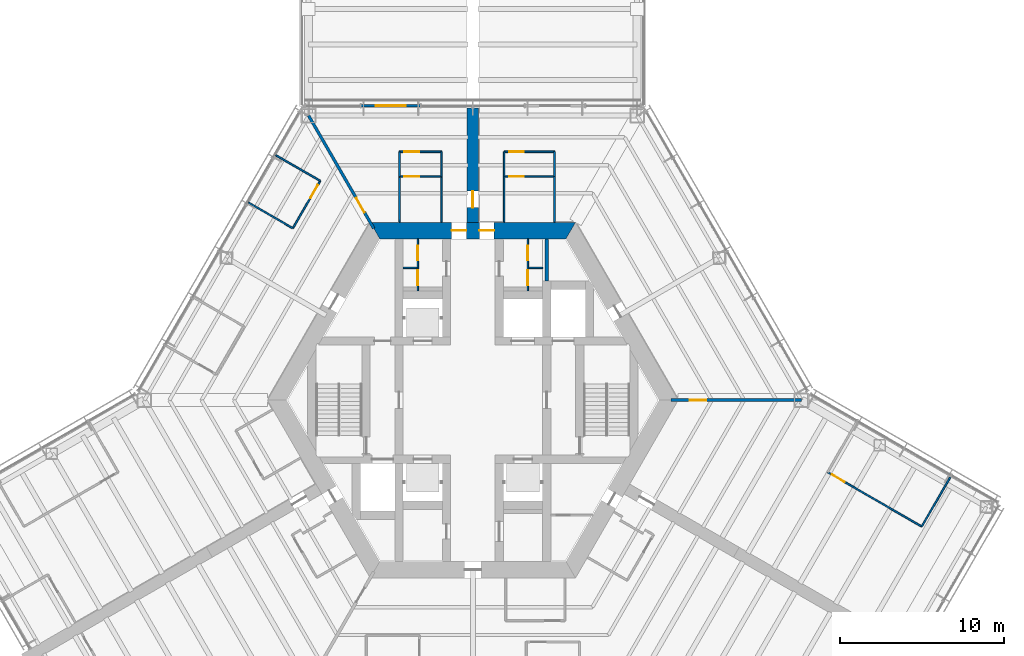
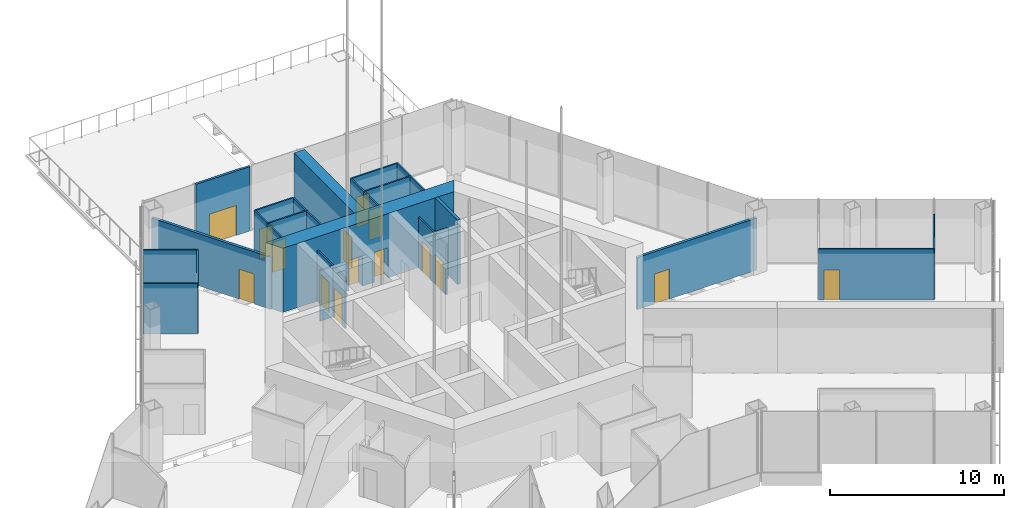
# One storey, part 12 of 18: 27 walls, 16 doors, 16 openings.
"""IFC4 building model written with IfcOpenShell, lengths in metres."""

from ifc_helpers import new_model, si_unit, direction, frame, frame_2d, origin, place, context, subcontext, project, spatial, polyline, rectangle, outline, extrude, material, layer, layer_set, type_object, element, fill, save


model = new_model("IFC4")

# Units and contexts
model_context = context("Model", 3, precision=1e-05, world=origin(), true_north=direction((0.0, 1.0)))
body_context = subcontext(model_context, "Body", "Model", "MODEL_VIEW")
ifc_project = project(units=[si_unit("LENGTHUNIT", "METRE"), si_unit("AREAUNIT", "SQUARE_METRE"), si_unit("VOLUMEUNIT", "CUBIC_METRE"), si_unit("PLANEANGLEUNIT", "RADIAN"), si_unit("MASSUNIT", "GRAM", prefix="KILO")], contexts=[model_context])

# Site, building, storey
site_placement = place(None, origin())
site = spatial("IfcSite", under=ifc_project, at=site_placement, CompositionType="ELEMENT")
building_placement = place(site_placement, origin())
building = spatial("IfcBuilding", under=site, at=building_placement, Name="Kasaneha Research Tower", CompositionType="ELEMENT")
storey_placement = place(building_placement, frame((0.0, 0.0, 128.60009765625)))
storey = spatial("IfcBuildingStorey", under=building, at=storey_placement, Name="L32", CompositionType="ELEMENT", Elevation=128.60009765625)

# Wall, openings, doors
ifc_material_1 = material(Name="Concrete Fc70", Category="concrete")
ifc_layer_1 = layer(ifc_material_1, 1.0)
ifc_layer_set_1 = layer_set([ifc_layer_1], Name="Core wall 1000 Fc70")
wall_type_1 = type_object("IfcWallType", Name="Core wall 1000 Fc70", PredefinedType="SHEAR", material=ifc_layer_set_1)
wall_1_placement = place(storey_placement, frame((5.961181640625, 10.324951171875, 0.0), z_axis=(0.0, 0.0, 1.0), x_axis=(-1.0, 0.0, 0.0)))
wall_1 = element("IfcWall", 1, at=wall_1_placement, inside=storey, type_object=wall_type_1, Name="Core wall 090 L32", PredefinedType="SHEAR", context=body_context, shape_type="SweptSolid", body=[
    extrude(outline(polyline([(-0.28857421875, -0.5), (4.6611328125, -0.5), (5.56103515625, -0.5), (6.361083984375, -0.5), (7.260986328125, -0.5), (12.2109375, -0.5), (11.6337890625, 0.5), (7.260986328125, 0.5), (6.361083984375, 0.5), (5.56103515625, 0.5), (4.6611328125, 0.5), (0.28857421875, 0.5), (-0.28857421875, -0.5)])), origin(), (0.0, 0.0, 1.0), 4.5),
])
opening_1_placement = place(wall_1_placement, frame((6.361083984375, 0.0, 0.0)))
opening_1 = element("IfcOpeningElement", 2, at=opening_1_placement, cuts=wall_1, Name="Opening L32-D01", PredefinedType="OPENING", context=body_context, shape_type="SweptSolid", body=[
    extrude(rectangle(XDim=0.89990234375, YDim=2.10009765625, at=frame_2d((0.449951171875, 1.050048828125))), frame((0.0, 0.510009765625, 0.0), z_axis=(0.0, -1.0, 0.0), x_axis=(1.0, 0.0, 0.0)), (0.0, 0.0, 1.0), 1.02001953125),
])
opening_2_placement = place(wall_1_placement, frame((4.6611328125, 0.0, 0.0)))
opening_2 = element("IfcOpeningElement", 3, at=opening_2_placement, cuts=wall_1, Name="Opening L32-D02", PredefinedType="OPENING", context=body_context, shape_type="SweptSolid", body=[
    extrude(rectangle(XDim=0.89990234375, YDim=2.10009765625, at=frame_2d((0.449951171875, 1.050048828125))), frame((0.0, 0.510009765625, 0.0), z_axis=(0.0, -1.0, 0.0), x_axis=(1.0, 0.0, 0.0)), (0.0, 0.0, 1.0), 1.02001953125),
])
ifc_material_2 = material(Name="Steel", Category="steel")
door_type_1 = type_object("IfcDoorType", Name="Toilet door FD20 900x2100", OperationType="NOTDEFINED", PredefinedType="DOOR", material=ifc_material_2)
door_1_placement = place(opening_1_placement, origin())
door_1 = element("IfcDoor", 4, at=door_1_placement, inside=storey, type_object=door_type_1, Name="Core door north 1 L32-D01", OperationType="SINGLE_SWING_RIGHT", OverallHeight=2.10009765625, OverallWidth=0.89990234375, PredefinedType="DOOR", context=body_context, shape_type="SweptSolid", body=[
    extrude(rectangle(XDim=0.89990234375, YDim=2.10009765625, at=frame_2d((0.449951171875, 1.050048828125))), frame((0.0, 0.02490234375, 0.0), z_axis=(0.0, -1.0, 0.0), x_axis=(1.0, 0.0, 0.0)), (0.0, 0.0, 1.0), 0.050048828125),
])
fill(opening_1, door_1)
door_2_placement = place(opening_2_placement, origin())
door_2 = element("IfcDoor", 5, at=door_2_placement, inside=storey, type_object=door_type_1, Name="Core door north 2 L32-D02", OperationType="SINGLE_SWING_LEFT", OverallHeight=2.10009765625, OverallWidth=0.89990234375, PredefinedType="DOOR", context=body_context, shape_type="SweptSolid", body=[
    extrude(rectangle(XDim=0.89990234375, YDim=2.10009765625, at=frame_2d((0.449951171875, 1.050048828125))), frame((0.0, 0.02490234375, 0.0), z_axis=(0.0, -1.0, 0.0), x_axis=(1.0, 0.0, 0.0)), (0.0, 0.0, 1.0), 0.050048828125),
])
fill(opening_2, door_2)

# Wall, opening, door
ifc_material_3 = material(Name="Glass and aluminium", Category="aluminium")
ifc_layer_2 = layer(ifc_material_3, 0.14990234375)
ifc_layer_set_2 = layer_set([ifc_layer_2], Name="Glazed entrance screen 150")
wall_type_2 = type_object("IfcWallType", Name="Glazed entrance screen 150", PredefinedType="STANDARD", material=ifc_layer_set_2)
wall_2_placement = place(storey_placement, frame((-3.199951171875, 17.92041015625, 0.0), z_axis=(0.0, 0.0, 1.0), x_axis=(-1.0, 0.0, 0.0)))
wall_2 = element("IfcWall", 6, at=wall_2_placement, inside=storey, type_object=wall_type_2, Name="Glazed entrance screen L32", PredefinedType="STANDARD", context=body_context, shape_type="SweptSolid", body=[
    extrude(rectangle(XDim=3.60009765625, YDim=0.14990234375, at=frame_2d((1.800048828125, 0.0))), origin(), (0.0, 0.0, 1.0), 4.5),
])
opening_3_placement = place(wall_2_placement, frame((0.89990234375, 0.0, 0.0)))
opening_3 = element("IfcOpeningElement", 7, at=opening_3_placement, cuts=wall_2, Name="Opening L32-ED09", PredefinedType="OPENING", context=body_context, shape_type="SweptSolid", body=[
    extrude(rectangle(XDim=1.800048828125, YDim=2.10009765625, at=frame_2d((0.89990234375, 1.050048828125))), frame((0.0, 0.0849609375, 0.0), z_axis=(0.0, -1.0, 0.0), x_axis=(1.0, 0.0, 0.0)), (0.0, 0.0, 1.0), 0.169921875),
])
ifc_material_4 = material(Name="Glass and aluminium", Category="aluminium")
door_type_2 = type_object("IfcDoorType", Name="Terrace door 1800x2100", OperationType="DOUBLE_DOOR_SINGLE_SWING", PredefinedType="DOOR", material=ifc_material_4)
door_3_placement = place(opening_3_placement, origin())
door_3 = element("IfcDoor", 8, at=door_3_placement, inside=storey, type_object=door_type_2, Name="Terrace door L32-ED09", OperationType="DOUBLE_DOOR_SINGLE_SWING", OverallHeight=2.10009765625, OverallWidth=1.800048828125, PredefinedType="DOOR", context=body_context, shape_type="SweptSolid", body=[
    extrude(rectangle(XDim=1.800048828125, YDim=2.10009765625, at=frame_2d((0.89990234375, 1.050048828125))), frame((0.0, 0.02490234375, 0.0), z_axis=(0.0, -1.0, 0.0), x_axis=(1.0, 0.0, 0.0)), (0.0, 0.0, 1.0), 0.050048828125),
])
fill(opening_3, door_3)

# Wall, openings, doors
ifc_material_5 = material(Name="Gypsum board on steel studs, one layer each side", Category="steel")
ifc_layer_3 = layer(ifc_material_5, 0.10009765625)
ifc_layer_set_3 = layer_set([ifc_layer_3], Name="Office partition 100")
wall_type_3 = type_object("IfcWallType", Name="Office partition 100", PredefinedType="PARTITIONING", material=ifc_layer_set_3)
wall_3_placement = place(storey_placement, frame((-3.35009765625, 6.64990234375, 0.0), z_axis=(0.0, 0.0, 1.0), x_axis=(0.0, 1.0, 0.0)))
wall_3 = element("IfcWall", 9, at=wall_3_placement, inside=storey, type_object=wall_type_3, Name="Office partition TBM1 L32", PredefinedType="PARTITIONING", context=body_context, shape_type="SweptSolid", body=[
    extrude(rectangle(XDim=3.175048828125, YDim=0.10009765625, at=frame_2d((1.58740234375, 0.0))), origin(), (0.0, 0.0, 1.0), 3.5498046875),
])
opening_4_placement = place(wall_3_placement, frame((1.862548828125, 0.0, 0.0)))
opening_4 = element("IfcOpeningElement", 10, at=opening_4_placement, cuts=wall_3, Name="Opening L32-D20", PredefinedType="OPENING", context=body_context, shape_type="SweptSolid", body=[
    extrude(rectangle(XDim=0.89990234375, YDim=2.10009765625, at=frame_2d((0.449951171875, 1.050048828125))), frame((0.0, 0.06005859375, 0.0), z_axis=(0.0, -1.0, 0.0), x_axis=(1.0, 0.0, 0.0)), (0.0, 0.0, 1.0), 0.1201171875),
])
opening_5_placement = place(wall_3_placement, frame((0.35009765625, 0.0, 0.0)))
opening_5 = element("IfcOpeningElement", 11, at=opening_5_placement, cuts=wall_3, Name="Opening L32-D21", PredefinedType="OPENING", context=body_context, shape_type="SweptSolid", body=[
    extrude(rectangle(XDim=0.89990234375, YDim=2.10009765625, at=frame_2d((0.449951171875, 1.050048828125))), frame((0.0, 0.06005859375, 0.0), z_axis=(0.0, -1.0, 0.0), x_axis=(1.0, 0.0, 0.0)), (0.0, 0.0, 1.0), 0.1201171875),
])
ifc_material_6 = material(Name="Steel", Category="steel")
door_type_3 = type_object("IfcDoorType", Name="Toilet lobby door FD30 900x2100", OperationType="NOTDEFINED", PredefinedType="DOOR", material=ifc_material_6)
door_4_placement = place(opening_4_placement, origin())
door_4 = element("IfcDoor", 12, at=door_4_placement, inside=storey, type_object=door_type_3, Name="Men's WC door L32-D20", OperationType="SINGLE_SWING_RIGHT", OverallHeight=2.10009765625, OverallWidth=0.89990234375, PredefinedType="DOOR", context=body_context, shape_type="SweptSolid", body=[
    extrude(rectangle(XDim=0.89990234375, YDim=2.10009765625, at=frame_2d((0.449951171875, 1.050048828125))), frame((0.0, 0.02490234375, 0.0), z_axis=(0.0, -1.0, 0.0), x_axis=(1.0, 0.0, 0.0)), (0.0, 0.0, 1.0), 0.050048828125),
])
fill(opening_4, door_4)
door_5_placement = place(opening_5_placement, origin())
door_5 = element("IfcDoor", 13, at=door_5_placement, inside=storey, type_object=door_type_3, Name="Cleaner's store door L32-D21", OperationType="SINGLE_SWING_RIGHT", OverallHeight=2.10009765625, OverallWidth=0.89990234375, PredefinedType="DOOR", context=body_context, shape_type="SweptSolid", body=[
    extrude(rectangle(XDim=0.89990234375, YDim=2.10009765625, at=frame_2d((0.449951171875, 1.050048828125))), frame((0.0, 0.02490234375, 0.0), z_axis=(0.0, -1.0, 0.0), x_axis=(1.0, 0.0, 0.0)), (0.0, 0.0, 1.0), 0.050048828125),
])
fill(opening_5, door_5)

# Wall
wall_4_placement = place(storey_placement, frame((-3.39990234375, 8.050048828125, 0.0), z_axis=(0.0, 0.0, 1.0), x_axis=(-1.0, 0.0, 0.0)))
element("IfcWall", 14, at=wall_4_placement, inside=storey, type_object=wall_type_3, Name="Office partition TBM2 L32", PredefinedType="PARTITIONING", context=body_context, shape_type="SweptSolid", body=[
    extrude(rectangle(XDim=0.85009765625, YDim=0.10009765625, at=frame_2d((0.425048828125, 0.0))), origin(), (0.0, 0.0, 1.0), 3.5498046875),
])

# Wall, openings, doors
wall_5_placement = place(storey_placement, frame((3.35009765625, 6.64990234375, 0.0), z_axis=(0.0, 0.0, 1.0), x_axis=(0.0, 1.0, 0.0)))
wall_5 = element("IfcWall", 15, at=wall_5_placement, inside=storey, type_object=wall_type_3, Name="Office partition TBF1 L32", PredefinedType="PARTITIONING", context=body_context, shape_type="SweptSolid", body=[
    extrude(rectangle(XDim=3.175048828125, YDim=0.10009765625, at=frame_2d((1.58740234375, 0.0))), origin(), (0.0, 0.0, 1.0), 3.5498046875),
])
opening_6_placement = place(wall_5_placement, frame((1.862548828125, 0.0, 0.0)))
opening_6 = element("IfcOpeningElement", 16, at=opening_6_placement, cuts=wall_5, Name="Opening L32-D22", PredefinedType="OPENING", context=body_context, shape_type="SweptSolid", body=[
    extrude(rectangle(XDim=0.89990234375, YDim=2.10009765625, at=frame_2d((0.449951171875, 1.050048828125))), frame((0.0, 0.06005859375, 0.0), z_axis=(0.0, -1.0, 0.0), x_axis=(1.0, 0.0, 0.0)), (0.0, 0.0, 1.0), 0.1201171875),
])
opening_7_placement = place(wall_5_placement, frame((0.35009765625, 0.0, 0.0)))
opening_7 = element("IfcOpeningElement", 17, at=opening_7_placement, cuts=wall_5, Name="Opening L32-D23", PredefinedType="OPENING", context=body_context, shape_type="SweptSolid", body=[
    extrude(rectangle(XDim=0.89990234375, YDim=2.10009765625, at=frame_2d((0.449951171875, 1.050048828125))), frame((0.0, 0.06005859375, 0.0), z_axis=(0.0, -1.0, 0.0), x_axis=(1.0, 0.0, 0.0)), (0.0, 0.0, 1.0), 0.1201171875),
])
door_6_placement = place(opening_6_placement, origin())
door_6 = element("IfcDoor", 18, at=door_6_placement, inside=storey, type_object=door_type_3, Name="Women's WC door L32-D22", OperationType="SINGLE_SWING_RIGHT", OverallHeight=2.10009765625, OverallWidth=0.89990234375, PredefinedType="DOOR", context=body_context, shape_type="SweptSolid", body=[
    extrude(rectangle(XDim=0.89990234375, YDim=2.10009765625, at=frame_2d((0.449951171875, 1.050048828125))), frame((0.0, 0.02490234375, 0.0), z_axis=(0.0, -1.0, 0.0), x_axis=(1.0, 0.0, 0.0)), (0.0, 0.0, 1.0), 0.050048828125),
])
fill(opening_6, door_6)
door_7_placement = place(opening_7_placement, origin())
door_7 = element("IfcDoor", 19, at=door_7_placement, inside=storey, type_object=door_type_3, Name="Staff WC door L32-D23", OperationType="SINGLE_SWING_RIGHT", OverallHeight=2.10009765625, OverallWidth=0.89990234375, PredefinedType="DOOR", context=body_context, shape_type="SweptSolid", body=[
    extrude(rectangle(XDim=0.89990234375, YDim=2.10009765625, at=frame_2d((0.449951171875, 1.050048828125))), frame((0.0, 0.02490234375, 0.0), z_axis=(0.0, -1.0, 0.0), x_axis=(1.0, 0.0, 0.0)), (0.0, 0.0, 1.0), 0.050048828125),
])
fill(opening_7, door_7)

# Wall
wall_6_placement = place(storey_placement, frame((3.39990234375, 8.050048828125, 0.0), z_axis=(0.0, 0.0, 1.0), x_axis=(1.0, 0.0, 0.0)))
element("IfcWall", 20, at=wall_6_placement, inside=storey, type_object=wall_type_3, Name="Office partition TBF2 L32", PredefinedType="PARTITIONING", context=body_context, shape_type="SweptSolid", body=[
    extrude(rectangle(XDim=0.85009765625, YDim=0.10009765625, at=frame_2d((0.425048828125, 0.0))), origin(), (0.0, 0.0, 1.0), 3.5498046875),
])

# Wall, opening, door
wall_7_placement = place(storey_placement, frame((1.89990234375, 13.6201171875, 0.0), z_axis=(0.0, 0.0, 1.0), x_axis=(1.0, 0.0, 0.0)))
wall_7 = element("IfcWall", 21, at=wall_7_placement, inside=storey, type_object=wall_type_3, Name="Office partition FAE01 L32", PredefinedType="PARTITIONING", context=body_context, shape_type="SweptSolid", body=[
    extrude(rectangle(XDim=3.071044921875, YDim=0.10009765625, at=frame_2d((1.53564453125, 0.0))), origin(), (0.0, 0.0, 1.0), 3.5498046875),
])
opening_8_placement = place(wall_7_placement, frame((0.300048828125, 0.0, 0.0)))
opening_8 = element("IfcOpeningElement", 22, at=opening_8_placement, cuts=wall_7, Name="Opening L32-D28", PredefinedType="OPENING", context=body_context, shape_type="SweptSolid", body=[
    extrude(rectangle(XDim=0.89990234375, YDim=2.10009765625, at=frame_2d((0.449951171875, 1.050048828125))), frame((0.0, 0.06005859375, 0.0), z_axis=(0.0, -1.0, 0.0), x_axis=(1.0, 0.0, 0.0)), (0.0, 0.0, 1.0), 0.1201171875),
])
door_8_placement = place(opening_8_placement, origin())
door_8 = element("IfcDoor", 23, at=door_8_placement, inside=storey, type_object=door_type_3, Name="Women's WC door L32-D28", OperationType="SINGLE_SWING_LEFT", OverallHeight=2.10009765625, OverallWidth=0.89990234375, PredefinedType="DOOR", context=body_context, shape_type="SweptSolid", body=[
    extrude(rectangle(XDim=0.89990234375, YDim=2.10009765625, at=frame_2d((0.449951171875, 1.050048828125))), frame((0.0, 0.02490234375, 0.0), z_axis=(0.0, -1.0, 0.0), x_axis=(1.0, 0.0, 0.0)), (0.0, 0.0, 1.0), 0.050048828125),
])
fill(opening_8, door_8)

# Walls
for number, where, z_axis, x_axis, name in (
    (24, (1.89990234375, 10.844970703125, 0.0), (0.0, 0.0, 1.0), (0.001668567099, 0.999998607941, 0.0), "Office partition FAE02 L32"),
    (25, (4.96630859375, 13.625, 0.0), (0.0, 0.0, 1.0), (0.001668567099, -0.999998607941, 0.0), "Office partition FAE03 L32"),
):
    element("IfcWall", number, at=place(storey_placement, frame(where, z_axis=z_axis, x_axis=x_axis)), inside=storey, type_object=wall_type_3, Name=name, PredefinedType="PARTITIONING", context=body_context, shape_type="SweptSolid", body=[
        extrude(rectangle(XDim=2.780029296875, YDim=0.10009765625, at=frame_2d((1.39013671875, 0.0))), origin(), (0.0, 0.0, 1.0), 3.5498046875),
    ])

# Wall, opening, door
wall_8_placement = place(storey_placement, frame((1.89990234375, 15.125, 0.0), z_axis=(0.0, 0.0, 1.0), x_axis=(1.0, 0.0, 0.0)))
wall_8 = element("IfcWall", 26, at=wall_8_placement, inside=storey, type_object=wall_type_3, Name="Office partition FAE04 L32", PredefinedType="PARTITIONING", context=body_context, shape_type="SweptSolid", body=[
    extrude(rectangle(XDim=3.071044921875, YDim=0.10009765625, at=frame_2d((1.53564453125, 0.0))), origin(), (0.0, 0.0, 1.0), 3.5498046875),
])
opening_9_placement = place(wall_8_placement, frame((0.300048828125, 0.0, 0.0)))
opening_9 = element("IfcOpeningElement", 27, at=opening_9_placement, cuts=wall_8, Name="Opening L32-D29", PredefinedType="OPENING", context=body_context, shape_type="SweptSolid", body=[
    extrude(rectangle(XDim=0.89990234375, YDim=2.10009765625, at=frame_2d((0.449951171875, 1.050048828125))), frame((0.0, 0.06005859375, 0.0), z_axis=(0.0, -1.0, 0.0), x_axis=(1.0, 0.0, 0.0)), (0.0, 0.0, 1.0), 0.1201171875),
])
door_9_placement = place(opening_9_placement, origin())
door_9 = element("IfcDoor", 28, at=door_9_placement, inside=storey, type_object=door_type_3, Name="Toilet lobby door L32-D29", OperationType="SINGLE_SWING_LEFT", OverallHeight=2.10009765625, OverallWidth=0.89990234375, PredefinedType="DOOR", context=body_context, shape_type="SweptSolid", body=[
    extrude(rectangle(XDim=0.89990234375, YDim=2.10009765625, at=frame_2d((0.449951171875, 1.050048828125))), frame((0.0, 0.02490234375, 0.0), z_axis=(0.0, -1.0, 0.0), x_axis=(1.0, 0.0, 0.0)), (0.0, 0.0, 1.0), 0.050048828125),
])
fill(opening_9, door_9)

# Walls
for number, where, z_axis, x_axis, name in (
    (29, (1.904541015625, 13.625, 0.0), (0.0, 0.0, 1.0), (-0.00309243313, 0.999995218417, 0.0), "Office partition FAE05 L32"),
    (30, (4.970947265625, 15.125, 0.0), (0.0, 0.0, 1.0), (-0.00309243313, -0.999995218417, 0.0), "Office partition FAE06 L32"),
):
    element("IfcWall", number, at=place(storey_placement, frame(where, z_axis=z_axis, x_axis=x_axis)), inside=storey, type_object=wall_type_3, Name=name, PredefinedType="PARTITIONING", context=body_context, shape_type="SweptSolid", body=[
        extrude(rectangle(XDim=1.5, YDim=0.10009765625, at=frame_2d((0.75, 0.0))), origin(), (0.0, 0.0, 1.0), 3.5498046875),
    ])

# Wall, opening, door
wall_9_placement = place(storey_placement, frame((-4.470947265625, 13.6201171875, 0.0), z_axis=(0.0, 0.0, 1.0), x_axis=(1.0, 0.0, 0.0)))
wall_9 = element("IfcWall", 31, at=wall_9_placement, inside=storey, type_object=wall_type_3, Name="Office partition FAW01 L32", PredefinedType="PARTITIONING", context=body_context, shape_type="SweptSolid", body=[
    extrude(rectangle(XDim=2.571044921875, YDim=0.10009765625, at=frame_2d((1.28564453125, 0.0))), origin(), (0.0, 0.0, 1.0), 3.5498046875),
])
opening_10_placement = place(wall_9_placement, frame((0.300048828125, 0.0, 0.0)))
opening_10 = element("IfcOpeningElement", 32, at=opening_10_placement, cuts=wall_9, Name="Opening L32-D30", PredefinedType="OPENING", context=body_context, shape_type="SweptSolid", body=[
    extrude(rectangle(XDim=0.89990234375, YDim=2.10009765625, at=frame_2d((0.449951171875, 1.050048828125))), frame((0.0, 0.06005859375, 0.0), z_axis=(0.0, -1.0, 0.0), x_axis=(1.0, 0.0, 0.0)), (0.0, 0.0, 1.0), 0.1201171875),
])
door_10_placement = place(opening_10_placement, origin())
door_10 = element("IfcDoor", 33, at=door_10_placement, inside=storey, type_object=door_type_3, Name="Men's WC door L32-D30", OperationType="SINGLE_SWING_LEFT", OverallHeight=2.10009765625, OverallWidth=0.89990234375, PredefinedType="DOOR", context=body_context, shape_type="SweptSolid", body=[
    extrude(rectangle(XDim=0.89990234375, YDim=2.10009765625, at=frame_2d((0.449951171875, 1.050048828125))), frame((0.0, 0.02490234375, 0.0), z_axis=(0.0, -1.0, 0.0), x_axis=(1.0, 0.0, 0.0)), (0.0, 0.0, 1.0), 0.050048828125),
])
fill(opening_10, door_10)

# Walls
for number, where, z_axis, x_axis, name in (
    (34, (-4.470947265625, 10.844970703125, 0.0), (0.0, 0.0, 1.0), (0.001668567099, 0.999998607941, 0.0), "Office partition FAW02 L32"),
    (35, (-1.90478515625, 13.625, 0.0), (0.0, 0.0, 1.0), (0.001756386155, -0.999998457553, 0.0), "Office partition FAW03 L32"),
):
    element("IfcWall", number, at=place(storey_placement, frame(where, z_axis=z_axis, x_axis=x_axis)), inside=storey, type_object=wall_type_3, Name=name, PredefinedType="PARTITIONING", context=body_context, shape_type="SweptSolid", body=[
        extrude(rectangle(XDim=2.780029296875, YDim=0.10009765625, at=frame_2d((1.39013671875, 0.0))), origin(), (0.0, 0.0, 1.0), 3.5498046875),
    ])

# Wall, opening, door
wall_10_placement = place(storey_placement, frame((-4.470947265625, 15.125, 0.0), z_axis=(0.0, 0.0, 1.0), x_axis=(1.0, 0.0, 0.0)))
wall_10 = element("IfcWall", 36, at=wall_10_placement, inside=storey, type_object=wall_type_3, Name="Office partition FAW04 L32", PredefinedType="PARTITIONING", context=body_context, shape_type="SweptSolid", body=[
    extrude(rectangle(XDim=2.571044921875, YDim=0.10009765625, at=frame_2d((1.28564453125, 0.0))), origin(), (0.0, 0.0, 1.0), 3.5498046875),
])
opening_11_placement = place(wall_10_placement, frame((0.300048828125, 0.0, 0.0)))
opening_11 = element("IfcOpeningElement", 37, at=opening_11_placement, cuts=wall_10, Name="Opening L32-D31", PredefinedType="OPENING", context=body_context, shape_type="SweptSolid", body=[
    extrude(rectangle(XDim=0.89990234375, YDim=2.10009765625, at=frame_2d((0.449951171875, 1.050048828125))), frame((0.0, 0.06005859375, 0.0), z_axis=(0.0, -1.0, 0.0), x_axis=(1.0, 0.0, 0.0)), (0.0, 0.0, 1.0), 0.1201171875),
])
door_11_placement = place(opening_11_placement, origin())
door_11 = element("IfcDoor", 38, at=door_11_placement, inside=storey, type_object=door_type_3, Name="Toilet lobby door L32-D31", OperationType="SINGLE_SWING_LEFT", OverallHeight=2.10009765625, OverallWidth=0.89990234375, PredefinedType="DOOR", context=body_context, shape_type="SweptSolid", body=[
    extrude(rectangle(XDim=0.89990234375, YDim=2.10009765625, at=frame_2d((0.449951171875, 1.050048828125))), frame((0.0, 0.02490234375, 0.0), z_axis=(0.0, -1.0, 0.0), x_axis=(1.0, 0.0, 0.0)), (0.0, 0.0, 1.0), 0.050048828125),
])
fill(opening_11, door_11)

# Walls
for number, where, z_axis, x_axis, name in (
    (39, (-4.46630859375, 13.625, 0.0), (0.0, 0.0, 1.0), (-0.00309243313, 0.999995218417, 0.0), "Office partition FAW05 L32"),
    (40, (-1.89990234375, 15.125, 0.0), (0.0, 0.0, 1.0), (-0.003255191087, -0.999994701851, 0.0), "Office partition FAW06 L32"),
):
    element("IfcWall", number, at=place(storey_placement, frame(where, z_axis=z_axis, x_axis=x_axis)), inside=storey, type_object=wall_type_3, Name=name, PredefinedType="PARTITIONING", context=body_context, shape_type="SweptSolid", body=[
        extrude(rectangle(XDim=1.5, YDim=0.10009765625, at=frame_2d((0.75, 0.0))), origin(), (0.0, 0.0, 1.0), 3.5498046875),
    ])
wall_11_placement = place(storey_placement, frame((-11.99169921875, 14.90869140625, 0.0), z_axis=(0.0, 0.0, 1.0), x_axis=(0.866018739521, -0.500011542666, 0.0)))
element("IfcWall", 41, at=wall_11_placement, inside=storey, type_object=wall_type_3, Name="Office partition FBN10 L32", PredefinedType="PARTITIONING", context=body_context, shape_type="SweptSolid", body=[
    extrude(rectangle(XDim=3.119140625, YDim=0.10009765625, at=frame_2d((1.5595703125, 0.0))), origin(), (0.0, 0.0, 1.0), 3.5498046875),
])
wall_12_placement = place(storey_placement, frame((-10.9560546875, 10.464599609375, 0.0), z_axis=(0.0, 0.0, 1.0), x_axis=(-0.866052632827, 0.499952834948, 0.0)))
element("IfcWall", 42, at=wall_12_placement, inside=storey, type_object=wall_type_3, Name="Office partition FBN11 L32", PredefinedType="PARTITIONING", context=body_context, shape_type="SweptSolid", body=[
    extrude(rectangle(XDim=3.118896484375, YDim=0.10009765625, at=frame_2d((1.5595703125, 0.0))), origin(), (0.0, 0.0, 1.0), 3.5498046875),
])

# Wall, opening, door
wall_13_placement = place(storey_placement, frame((-9.29052734375, 13.34912109375, 0.0), z_axis=(0.0, 0.0, 1.0), x_axis=(-0.500033344505, -0.86600615147, 0.0)))
wall_13 = element("IfcWall", 43, at=wall_13_placement, inside=storey, type_object=wall_type_3, Name="Office partition FBN12 L32", PredefinedType="PARTITIONING", context=body_context, shape_type="SweptSolid", body=[
    extrude(rectangle(XDim=3.330810546875, YDim=0.10009765625, at=frame_2d((1.66552734375, 0.0))), origin(), (0.0, 0.0, 1.0), 3.5498046875),
])
opening_12_placement = place(wall_13_placement, frame((0.300048828125, 0.0, 0.0)))
opening_12 = element("IfcOpeningElement", 44, at=opening_12_placement, cuts=wall_13, Name="Opening L32-D35", PredefinedType="OPENING", context=body_context, shape_type="SweptSolid", body=[
    extrude(rectangle(XDim=0.89990234375, YDim=2.10009765625, at=frame_2d((0.449951171875, 1.050048828125))), frame((0.0, 0.06005859375, 0.0), z_axis=(0.0, -1.0, 0.0), x_axis=(1.0, 0.0, 0.0)), (0.0, 0.0, 1.0), 0.1201171875),
])
ifc_material_7 = material(Name="Timber veneer", Category="wood")
door_type_4 = type_object("IfcDoorType", Name="Office door 900x2100", OperationType="SINGLE_SWING_LEFT", PredefinedType="DOOR", material=ifc_material_7)
door_12_placement = place(opening_12_placement, origin())
door_12 = element("IfcDoor", 45, at=door_12_placement, inside=storey, type_object=door_type_4, Name="Workroom door L32-D35", OperationType="SINGLE_SWING_LEFT", OverallHeight=2.10009765625, OverallWidth=0.89990234375, PredefinedType="DOOR", context=body_context, shape_type="SweptSolid", body=[
    extrude(rectangle(XDim=0.89990234375, YDim=2.10009765625, at=frame_2d((0.449951171875, 1.050048828125))), frame((0.0, 0.02490234375, 0.0), z_axis=(0.0, -1.0, 0.0), x_axis=(1.0, 0.0, 0.0)), (0.0, 0.0, 1.0), 0.050048828125),
])
fill(opening_12, door_12)

wall_14_placement = place(storey_placement, frame((27.324951171875, -7.693115234375, 0.0), z_axis=(0.0, 0.0, 1.0), x_axis=(-0.866021597574, 0.500006592492, 0.0)))
wall_14 = element("IfcWall", 46, at=wall_14_placement, inside=storey, type_object=wall_type_3, Name="Office partition FCE02 L32", PredefinedType="PARTITIONING", context=body_context, shape_type="SweptSolid", body=[
    extrude(rectangle(XDim=6.61962890625, YDim=0.10009765625, at=frame_2d((3.309814453125, 0.0))), origin(), (0.0, 0.0, 1.0), 3.5498046875),
])
opening_13_placement = place(wall_14_placement, frame((5.419677734375, 0.0, 0.0)))
opening_13 = element("IfcOpeningElement", 47, at=opening_13_placement, cuts=wall_14, Name="Opening L32-D40", PredefinedType="OPENING", context=body_context, shape_type="SweptSolid", body=[
    extrude(rectangle(XDim=0.89990234375, YDim=2.10009765625, at=frame_2d((0.449951171875, 1.050048828125))), frame((0.0, 0.06005859375, 0.0), z_axis=(0.0, -1.0, 0.0), x_axis=(1.0, 0.0, 0.0)), (0.0, 0.0, 1.0), 0.1201171875),
])
door_13_placement = place(opening_13_placement, origin())
door_13 = element("IfcDoor", 48, at=door_13_placement, inside=storey, type_object=door_type_4, Name="Meeting room door L32-D40", OperationType="SINGLE_SWING_RIGHT", OverallHeight=2.10009765625, OverallWidth=0.89990234375, PredefinedType="DOOR", context=body_context, shape_type="SweptSolid", body=[
    extrude(rectangle(XDim=0.89990234375, YDim=2.10009765625, at=frame_2d((0.449951171875, 1.050048828125))), frame((0.0, 0.02490234375, 0.0), z_axis=(0.0, -1.0, 0.0), x_axis=(1.0, 0.0, 0.0)), (0.0, 0.0, 1.0), 0.050048828125),
])
fill(opening_13, door_13)

# Walls
wall_15_placement = place(storey_placement, frame((29.06005859375, -4.68798828125, 0.0), z_axis=(0.0, 0.0, 1.0), x_axis=(-0.500020871164, -0.866013353477, 0.0)))
element("IfcWall", 49, at=wall_15_placement, inside=storey, type_object=wall_type_3, Name="Office partition FCE03 L32", PredefinedType="PARTITIONING", context=body_context, shape_type="SweptSolid", body=[
    extrude(rectangle(XDim=3.469970703125, YDim=0.10009765625, at=frame_2d((1.73486328125, 0.0))), origin(), (0.0, 0.0, 1.0), 3.5498046875),
])
ifc_material_8 = material(Name="Concrete block", Category="concrete")
ifc_layer_4 = layer(ifc_material_8, 0.199951171875)
ifc_layer_set_4 = layer_set([ifc_layer_4], Name="Riser enclosure wall 200")
wall_type_4 = type_object("IfcWallType", Name="Riser enclosure wall 200", PredefinedType="STANDARD", material=ifc_layer_set_4)
wall_16_placement = place(storey_placement, frame((4.5, 7.25, 0.0), z_axis=(0.0, 0.0, 1.0), x_axis=(0.0, 1.0, 0.0)))
element("IfcWall", 50, at=wall_16_placement, inside=storey, type_object=wall_type_4, Name="Riser enclosure wall L32", PredefinedType="STANDARD", context=body_context, shape_type="SweptSolid", body=[
    extrude(rectangle(XDim=2.574951171875, YDim=0.199951171875, at=frame_2d((1.28759765625, 0.0))), origin(), (0.0, 0.0, 1.0), 4.5),
])

# Wall, opening, door
ifc_material_9 = material(Name="Concrete Fc70", Category="concrete")
ifc_layer_5 = layer(ifc_material_9, 0.699951171875)
ifc_layer_set_5 = layer_set([ifc_layer_5], Name="Spine wall 700 Fc70")
wall_type_5 = type_object("IfcWallType", Name="Spine wall 700 Fc70", PredefinedType="SHEAR", material=ifc_layer_set_5)
wall_17_placement = place(storey_placement, frame((0.0, 10.824951171875, 0.0), z_axis=(0.0, 0.0, 1.0), x_axis=(0.0, 1.0, 0.0)))
wall_17 = element("IfcWall", 51, at=wall_17_placement, inside=storey, type_object=wall_type_5, Name="Spine wall A L32", PredefinedType="SHEAR", context=body_context, shape_type="SweptSolid", body=[
    extrude(rectangle(XDim=6.945556640625, YDim=0.699951171875, at=frame_2d((3.47265625, 0.0))), origin(), (0.0, 0.0, 1.0), 4.5),
])
opening_14_placement = place(wall_17_placement, frame((0.89990234375, 0.0, 0.0)))
opening_14 = element("IfcOpeningElement", 52, at=opening_14_placement, cuts=wall_17, Name="Opening L32-D17", PredefinedType="OPENING", context=body_context, shape_type="SweptSolid", body=[
    extrude(rectangle(XDim=1.0, YDim=2.10009765625, at=frame_2d((0.5, 1.050048828125))), frame((0.0, 0.35986328125, 0.0), z_axis=(0.0, -1.0, 0.0), x_axis=(1.0, 0.0, 0.0)), (0.0, 0.0, 1.0), 0.719970703125),
])
ifc_material_10 = material(Name="Steel", Category="steel")
door_type_5 = type_object("IfcDoorType", Name="Specified fire door FD60 1000x2100", OperationType="NOTDEFINED", PredefinedType="DOOR", material=ifc_material_10)
door_14_placement = place(opening_14_placement, origin())
door_14 = element("IfcDoor", 53, at=door_14_placement, inside=storey, type_object=door_type_5, Name="Spine doorway A L32-D17", OperationType="SINGLE_SWING_LEFT", OverallHeight=2.10009765625, OverallWidth=1.0, PredefinedType="DOOR", context=body_context, shape_type="SweptSolid", body=[
    extrude(rectangle(XDim=1.0, YDim=2.10009765625, at=frame_2d((0.5, 1.050048828125))), frame((0.0, 0.02490234375, 0.0), z_axis=(0.0, -1.0, 0.0), x_axis=(1.0, 0.0, 0.0)), (0.0, 0.0, 1.0), 0.050048828125),
])
fill(opening_14, door_14)

ifc_material_11 = material(Name="Gypsum board on steel studs, two layers each side", Category="steel")
ifc_layer_6 = layer(ifc_material_11, 0.175048828125)
ifc_layer_set_6 = layer_set([ifc_layer_6], Name="Tenancy fire partition 175")
wall_type_6 = type_object("IfcWallType", Name="Tenancy fire partition 175", PredefinedType="PARTITIONING", material=ifc_layer_set_6)
wall_18_placement = place(storey_placement, frame((12.069580078125, 0.0, 0.0), z_axis=(0.0, 0.0, 1.0), x_axis=(1.0, 0.0, 0.0)))
wall_18 = element("IfcWall", 54, at=wall_18_placement, inside=storey, type_object=wall_type_6, Name="Tenancy fire partition T000 L32", PredefinedType="PARTITIONING", context=body_context, shape_type="SweptSolid", body=[
    extrude(rectangle(XDim=7.930419921875, YDim=0.175048828125, at=frame_2d((3.96533203125, 0.0))), origin(), (0.0, 0.0, 1.0), 3.64990234375),
])
opening_15_placement = place(wall_18_placement, frame((1.1298828125, 0.0, 0.0)))
opening_15 = element("IfcOpeningElement", 55, at=opening_15_placement, cuts=wall_18, Name="Opening L32-D25", PredefinedType="OPENING", context=body_context, shape_type="SweptSolid", body=[
    extrude(rectangle(XDim=1.0, YDim=2.10009765625, at=frame_2d((0.5, 1.050048828125))), frame((0.0, 0.09765625, 0.0), z_axis=(0.0, -1.0, 0.0), x_axis=(1.0, 0.0, 0.0)), (0.0, 0.0, 1.0), 0.195068359375),
])
ifc_material_12 = material(Name="Steel", Category="steel")
door_type_6 = type_object("IfcDoorType", Name="Suite entrance door FD60 1000x2100", OperationType="NOTDEFINED", PredefinedType="DOOR", material=ifc_material_12)
door_15_placement = place(opening_15_placement, origin())
door_15 = element("IfcDoor", 56, at=door_15_placement, inside=storey, type_object=door_type_6, Name="Connecting door L32-D25", OperationType="SINGLE_SWING_LEFT", OverallHeight=2.10009765625, OverallWidth=1.0, PredefinedType="DOOR", context=body_context, shape_type="SweptSolid", body=[
    extrude(rectangle(XDim=1.0, YDim=2.10009765625, at=frame_2d((0.5, 1.050048828125))), frame((0.0, 0.02490234375, 0.0), z_axis=(0.0, -1.0, 0.0), x_axis=(1.0, 0.0, 0.0)), (0.0, 0.0, 1.0), 0.050048828125),
])
fill(opening_15, door_15)

wall_19_placement = place(storey_placement, frame((-6.034912109375, 10.45263671875, 0.0), z_axis=(0.0, 0.0, 1.0), x_axis=(-0.499989830942, 0.866031274813, 0.0)))
wall_19 = element("IfcWall", 57, at=wall_19_placement, inside=storey, type_object=wall_type_6, Name="Tenancy fire partition T120 L32", PredefinedType="PARTITIONING", context=body_context, shape_type="SweptSolid", body=[
    extrude(rectangle(XDim=7.930419921875, YDim=0.175048828125, at=frame_2d((3.96533203125, 0.0))), origin(), (0.0, 0.0, 1.0), 3.64990234375),
])
opening_16_placement = place(wall_19_placement, frame((1.1298828125, 0.0, 0.0)))
opening_16 = element("IfcOpeningElement", 58, at=opening_16_placement, cuts=wall_19, Name="Opening L32-D26", PredefinedType="OPENING", context=body_context, shape_type="SweptSolid", body=[
    extrude(rectangle(XDim=1.0, YDim=2.10009765625, at=frame_2d((0.5, 1.050048828125))), frame((0.0, 0.09765625, 0.0), z_axis=(0.0, -1.0, 0.0), x_axis=(1.0, 0.0, 0.0)), (0.0, 0.0, 1.0), 0.195068359375),
])
door_16_placement = place(opening_16_placement, origin())
door_16 = element("IfcDoor", 59, at=door_16_placement, inside=storey, type_object=door_type_6, Name="Connecting door L32-D26", OperationType="SINGLE_SWING_LEFT", OverallHeight=2.10009765625, OverallWidth=1.0, PredefinedType="DOOR", context=body_context, shape_type="SweptSolid", body=[
    extrude(rectangle(XDim=1.0, YDim=2.10009765625, at=frame_2d((0.5, 1.050048828125))), frame((0.0, 0.02490234375, 0.0), z_axis=(0.0, -1.0, 0.0), x_axis=(1.0, 0.0, 0.0)), (0.0, 0.0, 1.0), 0.050048828125),
])
fill(opening_16, door_16)

save(model, "model.ifc")
